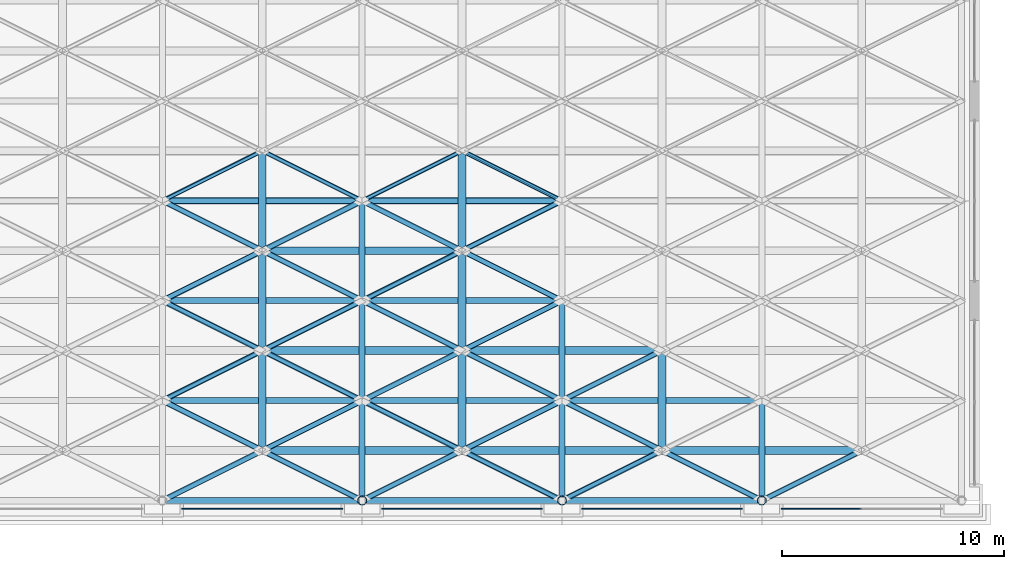
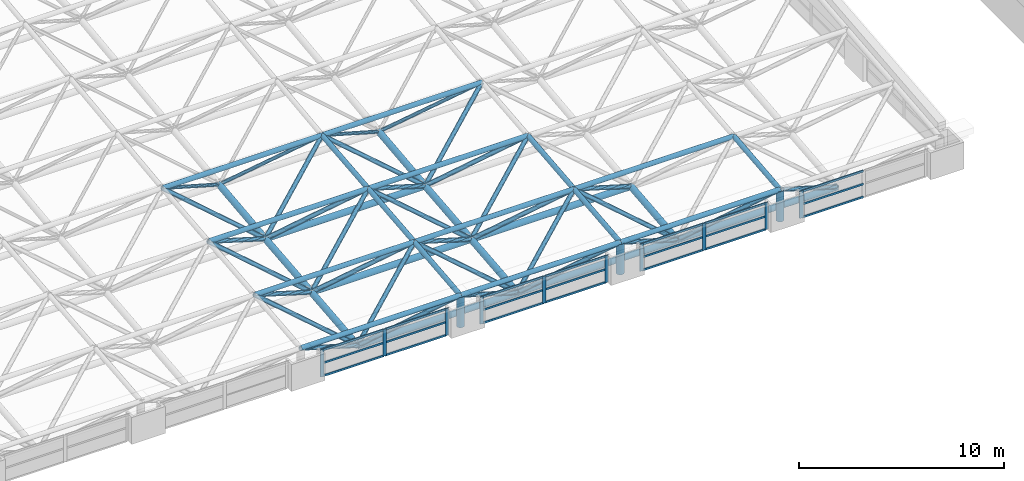
# One storey, part 12 of 53: 96 members, 4 elements without a shape of their own.
"""IFC4 building model written with IfcOpenShell, lengths in metres."""

from ifc_helpers import new_model, si_unit, direction, frame, origin, origin_2d, place, context, subcontext, project, spatial, rectangle, hollow_circle, extrude, material, material_profile, profile_set, type_object, element, aggregate, save


model = new_model("IFC4")

# Units and contexts
model_context = context("Model", 3, precision=1e-05, world=origin(), true_north=direction((0.0, 1.0)))
body_context = subcontext(model_context, "Body", "Model", "MODEL_VIEW")
ifc_project = project(units=[si_unit("LENGTHUNIT", "METRE"), si_unit("AREAUNIT", "SQUARE_METRE"), si_unit("VOLUMEUNIT", "CUBIC_METRE"), si_unit("PLANEANGLEUNIT", "RADIAN"), si_unit("MASSUNIT", "GRAM", prefix="KILO")], contexts=[model_context])

# Site, building, storey
site_placement = place(None, origin())
site = spatial("IfcSite", under=ifc_project, at=site_placement, CompositionType="ELEMENT")
building_placement = place(site_placement, origin())
building = spatial("IfcBuilding", under=site, at=building_placement, Name="Aravalli Gate Trade Fair Centre", CompositionType="ELEMENT")
storey_placement = place(building_placement, frame((0.0, 0.0, 25.199951171875)))
storey = spatial("IfcBuildingStorey", under=building, at=storey_placement, Name="ROOF LEVEL 2", CompositionType="ELEMENT", Elevation=25.199951171875)

# Members
ifc_material_1 = material(Name="Steel E350", Category="steel")
ifc_material_profile_1 = material_profile(ifc_material_1, hollow_circle(Radius=0.096923828125, WallThickness=0.00634765625, at=origin_2d()), Name="CHS 193.7x6.3")
ifc_profile_set_1 = profile_set([ifc_material_profile_1], Name="Steel E350")
member_type_1 = type_object("IfcMemberType", Name="CHS 193.7x6.3", PredefinedType="BRACE", material=ifc_profile_set_1)
for number, where, z_axis, x_axis, name in (
    (1, (69.0, 59.5, 3.150146484375), (0.786469857322, 0.393234928661, -0.476268258867), (-0.4472135955, 0.894427191, 0.0), "Space frame web diagonal D2A"),
    (2, (78.0, 59.5, 3.150146484375), (0.786469857322, 0.393234928661, -0.476268258867), (-0.4472135955, 0.894427191, 0.0), "Space frame web diagonal D2A"),
    (3, (78.0, 59.5, 3.150146484375), (-0.786469857322, 0.393234928661, -0.476268258867), (-0.4472135955, -0.894427191, 0.0), "Space frame web diagonal D2B"),
    (4, (87.0, 59.5, 3.150146484375), (-0.786469857322, 0.393234928661, -0.476268258867), (-0.4472135955, -0.894427191, 0.0), "Space frame web diagonal D2B"),
):
    element("IfcMember", number, at=place(storey_placement, frame(where, z_axis=z_axis, x_axis=x_axis)), inside=storey, type_object=member_type_1, Name=name, PredefinedType="BRACE", context=body_context, shape_type="SweptSolid", body=[
        extrude(hollow_circle(Radius=0.096923828125, WallThickness=0.00634765625, at=origin_2d()), origin(), (0.0, 0.0, 1.0), 5.7216796875),
    ])
ifc_material_profile_2 = material_profile(ifc_material_1, hollow_circle(Radius=0.122314453125, WallThickness=0.008056640625, at=origin_2d()), Name="CHS 244.5x8")
ifc_profile_set_2 = profile_set([ifc_material_profile_2], Name="Steel E350")
member_type_2 = type_object("IfcMemberType", Name="CHS 244.5x8", PredefinedType="BRACE", material=ifc_profile_set_2)
for number, where, z_axis, x_axis, name in (
    (5, (69.0, 46.0, 1.800048828125), (0.783200147531, 0.391600073766, -0.48295642778), (-0.4472135955, 0.894427191, 0.0), "Space frame web diagonal D1A"),
    (6, (78.0, 46.0, 1.800048828125), (0.783200147531, 0.391600073766, -0.48295642778), (-0.4472135955, 0.894427191, 0.0), "Space frame web diagonal D1A"),
    (7, (87.0, 46.0, 1.800048828125), (0.783200147531, 0.391600073766, -0.48295642778), (-0.4472135955, 0.894427191, 0.0), "Space frame web diagonal D1A"),
    (8, (96.0, 46.0, 1.800048828125), (0.783200147531, 0.391600073766, -0.48295642778), (-0.4472135955, 0.894427191, 0.0), "Space frame web diagonal D1A"),
    (9, (69.0, 50.5, 2.25), (0.783200147531, 0.391600073766, -0.48295642778), (-0.4472135955, 0.894427191, 0.0), "Space frame web diagonal D1A"),
    (10, (78.0, 50.5, 2.25), (0.783200147531, 0.391600073766, -0.48295642778), (-0.4472135955, 0.894427191, 0.0), "Space frame web diagonal D1A"),
    (11, (87.0, 50.5, 2.25), (0.783200147531, 0.391600073766, -0.48295642778), (-0.4472135955, 0.894427191, 0.0), "Space frame web diagonal D1A"),
    (12, (69.0, 55.0, 2.699951171875), (0.783200147531, 0.391600073766, -0.48295642778), (-0.4472135955, 0.894427191, 0.0), "Space frame web diagonal D1A"),
    (13, (78.0, 55.0, 2.699951171875), (0.783200147531, 0.391600073766, -0.48295642778), (-0.4472135955, 0.894427191, 0.0), "Space frame web diagonal D1A"),
    (14, (78.0, 46.0, 1.800048828125), (-0.783200147531, 0.391600073766, -0.48295642778), (-0.4472135955, -0.894427191, 0.0), "Space frame web diagonal D1B"),
    (15, (87.0, 46.0, 1.800048828125), (-0.783200147531, 0.391600073766, -0.48295642778), (-0.4472135955, -0.894427191, 0.0), "Space frame web diagonal D1B"),
    (16, (96.0, 46.0, 1.800048828125), (-0.783200147531, 0.391600073766, -0.48295642778), (-0.4472135955, -0.894427191, 0.0), "Space frame web diagonal D1B"),
    (17, (78.0, 50.5, 2.25), (-0.783200147531, 0.391600073766, -0.48295642778), (-0.4472135955, -0.894427191, 0.0), "Space frame web diagonal D1B"),
    (18, (87.0, 50.5, 2.25), (-0.783200147531, 0.391600073766, -0.48295642778), (-0.4472135955, -0.894427191, 0.0), "Space frame web diagonal D1B"),
    (19, (78.0, 55.0, 2.699951171875), (-0.783200147531, 0.391600073766, -0.48295642778), (-0.4472135955, -0.894427191, 0.0), "Space frame web diagonal D1B"),
    (20, (87.0, 55.0, 2.699951171875), (-0.783200147531, 0.391600073766, -0.48295642778), (-0.4472135955, -0.894427191, 0.0), "Space frame web diagonal D1B"),
):
    element("IfcMember", number, at=place(storey_placement, frame(where, z_axis=z_axis, x_axis=x_axis)), inside=storey, type_object=member_type_2, Name=name, PredefinedType="BRACE", context=body_context, shape_type="SweptSolid", body=[
        extrude(hollow_circle(Radius=0.122314453125, WallThickness=0.008056640625, at=origin_2d()), origin(), (0.0, 0.0, 1.0), 5.74560546875),
    ])
for number, where, z_axis, x_axis, name in (
    (21, (69.0, 50.5, 2.25), (0.753016221047, -0.376508110523, -0.539637112837), (0.4472135955, 0.894427191, 0.0), "Space frame web diagonal D1C"),
    (22, (78.0, 50.5, 2.25), (0.753016221047, -0.376508110523, -0.539637112837), (0.4472135955, 0.894427191, 0.0), "Space frame web diagonal D1C"),
    (23, (87.0, 50.5, 2.25), (0.753016221047, -0.376508110523, -0.539637112837), (0.4472135955, 0.894427191, 0.0), "Space frame web diagonal D1C"),
    (24, (69.0, 55.0, 2.699951171875), (0.753016221047, -0.376508110523, -0.539637112837), (0.4472135955, 0.894427191, 0.0), "Space frame web diagonal D1C"),
    (25, (78.0, 55.0, 2.699951171875), (0.753016221047, -0.376508110523, -0.539637112837), (0.4472135955, 0.894427191, 0.0), "Space frame web diagonal D1C"),
    (26, (69.0, 59.5, 3.150146484375), (0.752999619823, -0.376499809912, -0.539666068678), (0.4472135955, 0.894427191, 0.0), "Space frame web diagonal D1C"),
    (27, (78.0, 59.5, 3.150146484375), (0.752999619823, -0.376499809912, -0.539666068678), (0.4472135955, 0.894427191, 0.0), "Space frame web diagonal D1C"),
    (28, (78.0, 50.5, 2.25), (-0.753016221047, -0.376508110523, -0.539637112837), (0.4472135955, -0.894427191, 0.0), "Space frame web diagonal D1D"),
    (29, (87.0, 50.5, 2.25), (-0.753016221047, -0.376508110523, -0.539637112837), (0.4472135955, -0.894427191, 0.0), "Space frame web diagonal D1D"),
    (30, (78.0, 55.0, 2.699951171875), (-0.753016221047, -0.376508110523, -0.539637112837), (0.4472135955, -0.894427191, 0.0), "Space frame web diagonal D1D"),
    (31, (87.0, 55.0, 2.699951171875), (-0.753016221047, -0.376508110523, -0.539637112837), (0.4472135955, -0.894427191, 0.0), "Space frame web diagonal D1D"),
    (32, (78.0, 59.5, 3.150146484375), (-0.752999619823, -0.376499809912, -0.539666068678), (0.4472135955, -0.894427191, 0.0), "Space frame web diagonal D1D"),
    (33, (87.0, 59.5, 3.150146484375), (-0.752999619823, -0.376499809912, -0.539666068678), (0.4472135955, -0.894427191, 0.0), "Space frame web diagonal D1D"),
):
    element("IfcMember", number, at=place(storey_placement, frame(where, z_axis=z_axis, x_axis=x_axis)), inside=storey, type_object=member_type_2, Name=name, PredefinedType="BRACE", context=body_context, shape_type="SweptSolid", body=[
        extrude(hollow_circle(Radius=0.122314453125, WallThickness=0.008056640625, at=origin_2d()), origin(), (0.0, 0.0, 1.0), 5.97607421875),
    ])
ifc_material_profile_3 = material_profile(ifc_material_1, hollow_circle(Radius=0.136474609375, WallThickness=0.010009765625, at=origin_2d()), Name="CHS 273.1x10")
ifc_profile_set_3 = profile_set([ifc_material_profile_3], Name="Steel E350")
member_type_3 = type_object("IfcMemberType", Name="CHS 273.1x10", PredefinedType="CHORD", material=ifc_profile_set_3)
for number, where, z_axis, x_axis, name in (
    (34, (69.0, 50.5, 2.25), (1.0, 0.0, 0.0), (0.0, 1.0, 0.0), "Space frame top chord along the lines T1"),
    (35, (78.0, 50.5, 2.25), (1.0, 0.0, 0.0), (0.0, 1.0, 0.0), "Space frame top chord along the lines T1"),
    (36, (87.0, 50.5, 2.25), (1.0, 0.0, 0.0), (0.0, 1.0, 0.0), "Space frame top chord along the lines T1"),
    (37, (69.0, 55.0, 2.699951171875), (1.0, 0.0, 0.0), (0.0, 1.0, 0.0), "Space frame top chord along the lines T1"),
    (38, (78.0, 55.0, 2.699951171875), (1.0, 0.0, 0.0), (0.0, 1.0, 0.0), "Space frame top chord along the lines T1"),
    (39, (69.0, 59.5, 3.150146484375), (1.0, 0.0, 0.0), (0.0, 1.0, 0.0), "Space frame top chord along the lines T2"),
    (40, (78.0, 59.5, 3.150146484375), (1.0, 0.0, 0.0), (0.0, 1.0, 0.0), "Space frame top chord along the lines T2"),
):
    element("IfcMember", number, at=place(storey_placement, frame(where, z_axis=z_axis, x_axis=x_axis)), inside=storey, type_object=member_type_3, Name=name, PredefinedType="CHORD", context=body_context, shape_type="SweptSolid", body=[
        extrude(hollow_circle(Radius=0.136474609375, WallThickness=0.010009765625, at=origin_2d()), origin(), (0.0, 0.0, 1.0), 9.0),
    ])
for number, where, z_axis, x_axis, name in (
    (41, (78.0, 46.0, 1.800048828125), (0.0, 0.995038259148, 0.099493029059), (-1.0, 0.0, 0.0), "Space frame top chord across the vault Y1"),
    (42, (78.0, 50.5, 2.25), (0.0, 0.995038259148, 0.099493029059), (-1.0, 0.0, 0.0), "Space frame top chord across the vault Y1"),
    (43, (78.0, 55.0, 2.699951171875), (0.0, 0.995032913332, 0.099546478526), (-1.0, 0.0, 0.0), "Space frame top chord across the vault Y1"),
    (44, (87.0, 46.0, 1.800048828125), (0.0, 0.995038259148, 0.099493029059), (-1.0, 0.0, 0.0), "Space frame top chord across the vault Y1"),
    (45, (87.0, 50.5, 2.25), (0.0, 0.995038259148, 0.099493029059), (-1.0, 0.0, 0.0), "Space frame top chord across the vault Y1"),
    (46, (96.0, 46.0, 1.800048828125), (0.0, 0.995038259148, 0.099493029059), (-1.0, 0.0, 0.0), "Space frame top chord across the vault Y1"),
):
    element("IfcMember", number, at=place(storey_placement, frame(where, z_axis=z_axis, x_axis=x_axis)), inside=storey, type_object=member_type_3, Name=name, PredefinedType="CHORD", context=body_context, shape_type="SweptSolid", body=[
        extrude(hollow_circle(Radius=0.136474609375, WallThickness=0.010009765625, at=origin_2d()), origin(), (0.0, 0.0, 1.0), 4.5224609375),
    ])
ifc_material_profile_4 = material_profile(ifc_material_1, hollow_circle(Radius=0.136474609375, WallThickness=0.01611328125, at=origin_2d()), Name="CHS 273.1x16")
ifc_profile_set_4 = profile_set([ifc_material_profile_4], Name="Steel E350")
member_type_4 = type_object("IfcMemberType", Name="CHS 273.1x16", PredefinedType="CHORD", material=ifc_profile_set_4)
for number, where, z_axis, x_axis, name in (
    (47, (69.0, 46.0, 1.800048828125), (1.0, 0.0, 0.0), (0.0, 1.0, 0.0), "Space frame top chord along the lines TE"),
    (48, (78.0, 46.0, 1.800048828125), (1.0, 0.0, 0.0), (0.0, 1.0, 0.0), "Space frame top chord along the lines TE"),
    (49, (87.0, 46.0, 1.800048828125), (1.0, 0.0, 0.0), (0.0, 1.0, 0.0), "Space frame top chord along the lines TE"),
):
    element("IfcMember", number, at=place(storey_placement, frame(where, z_axis=z_axis, x_axis=x_axis)), inside=storey, type_object=member_type_4, Name=name, PredefinedType="CHORD", context=body_context, shape_type="SweptSolid", body=[
        extrude(hollow_circle(Radius=0.136474609375, WallThickness=0.01611328125, at=origin_2d()), origin(), (0.0, 0.0, 1.0), 9.0),
    ])
ifc_material_profile_5 = material_profile(ifc_material_1, hollow_circle(Radius=0.177734375, WallThickness=0.010009765625, at=origin_2d()), Name="CHS 355.6x10")
ifc_profile_set_5 = profile_set([ifc_material_profile_5], Name="Steel E350")
member_type_5 = type_object("IfcMemberType", Name="CHS 355.6x10", PredefinedType="CHORD", material=ifc_profile_set_5)
for number, where, z_axis, x_axis, name in (
    (50, (73.5, 52.75, -0.52490234375), (1.0, 0.0, 0.0), (0.0, 1.0, 0.0), "Space frame bottom chord along the lines B1"),
    (51, (82.5, 52.75, -0.52490234375), (1.0, 0.0, 0.0), (0.0, 1.0, 0.0), "Space frame bottom chord along the lines B1"),
    (52, (73.5, 57.25, -0.074951171875), (1.0, 0.0, 0.0), (0.0, 1.0, 0.0), "Space frame bottom chord along the lines B1"),
):
    element("IfcMember", number, at=place(storey_placement, frame(where, z_axis=z_axis, x_axis=x_axis)), inside=storey, type_object=member_type_5, Name=name, PredefinedType="CHORD", context=body_context, shape_type="SweptSolid", body=[
        extrude(hollow_circle(Radius=0.177734375, WallThickness=0.010009765625, at=origin_2d()), origin(), (0.0, 0.0, 1.0), 9.0),
    ])
for number, where, z_axis, x_axis, name in (
    (53, (73.5, 48.25, -0.974853515625), (0.0, 0.995038259148, 0.099493029059), (-1.0, 0.0, 0.0), "Space frame bottom chord across the vault C1"),
    (54, (73.5, 52.75, -0.52490234375), (0.0, 0.995038259148, 0.099493029059), (-1.0, 0.0, 0.0), "Space frame bottom chord across the vault C1"),
    (55, (82.5, 48.25, -0.974853515625), (0.0, 0.995038259148, 0.099493029059), (-1.0, 0.0, 0.0), "Space frame bottom chord across the vault C1"),
    (56, (82.5, 52.75, -0.52490234375), (0.0, 0.995038259148, 0.099493029059), (-1.0, 0.0, 0.0), "Space frame bottom chord across the vault C1"),
    (57, (91.5, 48.25, -0.974853515625), (0.0, 0.995038259148, 0.099493029059), (-1.0, 0.0, 0.0), "Space frame bottom chord across the vault C1"),
):
    element("IfcMember", number, at=place(storey_placement, frame(where, z_axis=z_axis, x_axis=x_axis)), inside=storey, type_object=member_type_5, Name=name, PredefinedType="CHORD", context=body_context, shape_type="SweptSolid", body=[
        extrude(hollow_circle(Radius=0.177734375, WallThickness=0.010009765625, at=origin_2d()), origin(), (0.0, 0.0, 1.0), 4.5224609375),
    ])
for number, where, z_axis, x_axis, name in (
    (58, (73.5, 57.25, -0.074951171875), (0.0, 0.993883734674, 0.110431526075), (-1.0, 0.0, 0.0), "Space frame bottom chord across the vault C2"),
    (59, (82.5, 57.25, -0.074951171875), (0.0, 0.993883734674, 0.110431526075), (-1.0, 0.0, 0.0), "Space frame bottom chord across the vault C2"),
):
    element("IfcMember", number, at=place(storey_placement, frame(where, z_axis=z_axis, x_axis=x_axis)), inside=storey, type_object=member_type_5, Name=name, PredefinedType="CHORD", context=body_context, shape_type="SweptSolid", body=[
        extrude(hollow_circle(Radius=0.177734375, WallThickness=0.010009765625, at=origin_2d()), origin(), (0.0, 0.0, 1.0), 4.527587890625),
    ])
ifc_material_profile_6 = material_profile(ifc_material_1, hollow_circle(Radius=0.177734375, WallThickness=0.01611328125, at=origin_2d()), Name="CHS 355.6x16")
ifc_profile_set_6 = profile_set([ifc_material_profile_6], Name="Steel E350")
member_type_6 = type_object("IfcMemberType", Name="CHS 355.6x16", PredefinedType="CHORD", material=ifc_profile_set_6)
for number, where, z_axis, x_axis, name in (
    (60, (73.5, 48.25, -0.974853515625), (1.0, 0.0, 0.0), (0.0, 1.0, 0.0), "Space frame bottom chord along the lines BE"),
    (61, (82.5, 48.25, -0.974853515625), (1.0, 0.0, 0.0), (0.0, 1.0, 0.0), "Space frame bottom chord along the lines BE"),
    (62, (91.5, 48.25, -0.974853515625), (1.0, 0.0, 0.0), (0.0, 1.0, 0.0), "Space frame bottom chord along the lines BE"),
):
    element("IfcMember", number, at=place(storey_placement, frame(where, z_axis=z_axis, x_axis=x_axis)), inside=storey, type_object=member_type_6, Name=name, PredefinedType="CHORD", context=body_context, shape_type="SweptSolid", body=[
        extrude(hollow_circle(Radius=0.177734375, WallThickness=0.01611328125, at=origin_2d()), origin(), (0.0, 0.0, 1.0), 9.0),
    ])
ifc_material_profile_7 = material_profile(ifc_material_1, hollow_circle(Radius=0.203125, WallThickness=0.01611328125, at=origin_2d()), Name="CHS 406.4x16")
ifc_profile_set_7 = profile_set([ifc_material_profile_7], Name="Steel E350")
member_type_7 = type_object("IfcMemberType", Name="CHS 406.4x16", PredefinedType="POST", material=ifc_profile_set_7)
for number, where, z_axis, x_axis, name in (
    (63, (78.0, 46.0, 0.0), (0.0, 0.0, 1.0), (1.0, 0.0, 0.0), "Space frame bearing post P1"),
    (64, (87.0, 46.0, 0.0), (0.0, 0.0, 1.0), (1.0, 0.0, 0.0), "Space frame bearing post P1"),
    (65, (96.0, 46.0, 0.0), (0.0, 0.0, 1.0), (1.0, 0.0, 0.0), "Space frame bearing post P1"),
):
    element("IfcMember", number, at=place(storey_placement, frame(where, z_axis=z_axis, x_axis=x_axis)), inside=storey, type_object=member_type_7, Name=name, PredefinedType="POST", context=body_context, shape_type="SweptSolid", body=[
        extrude(hollow_circle(Radius=0.203125, WallThickness=0.01611328125, at=origin_2d()), origin(), (0.0, 0.0, 1.0), 1.800048828125),
    ])

# Curtain wall, members
ifc_material_2 = material(Name="Aluminium, glass and louvre", Category="aluminium")
curtain_wall_type = type_object("IfcCurtainWallType", Name="Hall crown curtain wall 3000 module", PredefinedType="NOTDEFINED", material=ifc_material_2)
curtain_wall_1_placement = place(storey_placement, origin())
curtain_wall_1 = element("IfcCurtainWall", 66, at=curtain_wall_1_placement, inside=storey, type_object=curtain_wall_type, Name="Hall south crown curtain wall bay 8 ROOF LEVEL 2", PredefinedType="NOTDEFINED")
ifc_material_3 = material(Name="Aluminium", Category="aluminium")
ifc_material_profile_8 = material_profile(ifc_material_3, rectangle(XDim=0.06005859375, YDim=0.199951171875, at=origin_2d()), Name="Hall curtain wall mullion 60 x 200")
ifc_profile_set_8 = profile_set([ifc_material_profile_8], Name="Aluminium")
member_type_8 = type_object("IfcMemberType", Name="Hall curtain wall mullion 60 x 200", PredefinedType="MULLION", material=ifc_profile_set_8)
member_1_placement = place(storey_placement, frame((69.97998046875, 45.625, 0.0), z_axis=(0.0, 0.0, 1.0), x_axis=(0.0, 1.0, 0.0)))
member_1 = element("IfcMember", 67, at=member_1_placement, type_object=member_type_8, Name="HCW1 mullion 1", PredefinedType="MULLION", context=body_context, shape_type="SweptSolid", body=[
    extrude(rectangle(XDim=0.06005859375, YDim=0.199951171875, at=origin_2d()), origin(), (0.0, 0.0, 1.0), 1.60009765625),
])
member_2_placement = place(storey_placement, frame((73.5, 45.625, 0.0), z_axis=(0.0, 0.0, 1.0), x_axis=(0.0, 1.0, 0.0)))
member_2 = element("IfcMember", 68, at=member_2_placement, type_object=member_type_8, Name="HCW1 mullion 2", PredefinedType="MULLION", context=body_context, shape_type="SweptSolid", body=[
    extrude(rectangle(XDim=0.06005859375, YDim=0.199951171875, at=origin_2d()), origin(), (0.0, 0.0, 1.0), 1.60009765625),
])
member_3_placement = place(storey_placement, frame((77.02001953125, 45.625, 0.0), z_axis=(0.0, 0.0, 1.0), x_axis=(0.0, 1.0, 0.0)))
member_3 = element("IfcMember", 69, at=member_3_placement, type_object=member_type_8, Name="HCW1 mullion 3", PredefinedType="MULLION", context=body_context, shape_type="SweptSolid", body=[
    extrude(rectangle(XDim=0.06005859375, YDim=0.199951171875, at=origin_2d()), origin(), (0.0, 0.0, 1.0), 1.60009765625),
])

curtain_wall_2_placement = place(storey_placement, origin())
curtain_wall_2 = element("IfcCurtainWall", 70, at=curtain_wall_2_placement, inside=storey, type_object=curtain_wall_type, Name="Hall south crown curtain wall bay 9 ROOF LEVEL 2", PredefinedType="NOTDEFINED")
member_4_placement = place(storey_placement, frame((78.97998046875, 45.625, 0.0), z_axis=(0.0, 0.0, 1.0), x_axis=(0.0, 1.0, 0.0)))
member_4 = element("IfcMember", 71, at=member_4_placement, type_object=member_type_8, Name="HCW1 mullion 1", PredefinedType="MULLION", context=body_context, shape_type="SweptSolid", body=[
    extrude(rectangle(XDim=0.06005859375, YDim=0.199951171875, at=origin_2d()), origin(), (0.0, 0.0, 1.0), 1.60009765625),
])
member_5_placement = place(storey_placement, frame((82.5, 45.625, 0.0), z_axis=(0.0, 0.0, 1.0), x_axis=(0.0, 1.0, 0.0)))
member_5 = element("IfcMember", 72, at=member_5_placement, type_object=member_type_8, Name="HCW1 mullion 2", PredefinedType="MULLION", context=body_context, shape_type="SweptSolid", body=[
    extrude(rectangle(XDim=0.06005859375, YDim=0.199951171875, at=origin_2d()), origin(), (0.0, 0.0, 1.0), 1.60009765625),
])
member_6_placement = place(storey_placement, frame((86.02001953125, 45.625, 0.0), z_axis=(0.0, 0.0, 1.0), x_axis=(0.0, 1.0, 0.0)))
member_6 = element("IfcMember", 73, at=member_6_placement, type_object=member_type_8, Name="HCW1 mullion 3", PredefinedType="MULLION", context=body_context, shape_type="SweptSolid", body=[
    extrude(rectangle(XDim=0.06005859375, YDim=0.199951171875, at=origin_2d()), origin(), (0.0, 0.0, 1.0), 1.60009765625),
])

curtain_wall_3_placement = place(storey_placement, origin())
curtain_wall_3 = element("IfcCurtainWall", 74, at=curtain_wall_3_placement, inside=storey, type_object=curtain_wall_type, Name="Hall south crown curtain wall bay 10 ROOF LEVEL 2", PredefinedType="NOTDEFINED")
member_7_placement = place(storey_placement, frame((87.97998046875, 45.625, 0.0), z_axis=(0.0, 0.0, 1.0), x_axis=(0.0, 1.0, 0.0)))
member_7 = element("IfcMember", 75, at=member_7_placement, type_object=member_type_8, Name="HCW1 mullion 1", PredefinedType="MULLION", context=body_context, shape_type="SweptSolid", body=[
    extrude(rectangle(XDim=0.06005859375, YDim=0.199951171875, at=origin_2d()), origin(), (0.0, 0.0, 1.0), 1.60009765625),
])
member_8_placement = place(storey_placement, frame((91.5, 45.625, 0.0), z_axis=(0.0, 0.0, 1.0), x_axis=(0.0, 1.0, 0.0)))
member_8 = element("IfcMember", 76, at=member_8_placement, type_object=member_type_8, Name="HCW1 mullion 2", PredefinedType="MULLION", context=body_context, shape_type="SweptSolid", body=[
    extrude(rectangle(XDim=0.06005859375, YDim=0.199951171875, at=origin_2d()), origin(), (0.0, 0.0, 1.0), 1.60009765625),
])
member_9_placement = place(storey_placement, frame((95.02001953125, 45.625, 0.0), z_axis=(0.0, 0.0, 1.0), x_axis=(0.0, 1.0, 0.0)))
member_9 = element("IfcMember", 77, at=member_9_placement, type_object=member_type_8, Name="HCW1 mullion 3", PredefinedType="MULLION", context=body_context, shape_type="SweptSolid", body=[
    extrude(rectangle(XDim=0.06005859375, YDim=0.199951171875, at=origin_2d()), origin(), (0.0, 0.0, 1.0), 1.60009765625),
])

# Curtain wall, member
curtain_wall_4_placement = place(storey_placement, origin())
curtain_wall_4 = element("IfcCurtainWall", 78, at=curtain_wall_4_placement, inside=storey, type_object=curtain_wall_type, Name="Hall south crown curtain wall bay 11 ROOF LEVEL 2", PredefinedType="NOTDEFINED")
member_10_placement = place(storey_placement, frame((96.97998046875, 45.625, 0.0), z_axis=(0.0, 0.0, 1.0), x_axis=(0.0, 1.0, 0.0)))
member_10 = element("IfcMember", 79, at=member_10_placement, type_object=member_type_8, Name="HCW1 mullion 1", PredefinedType="MULLION", context=body_context, shape_type="SweptSolid", body=[
    extrude(rectangle(XDim=0.06005859375, YDim=0.199951171875, at=origin_2d()), origin(), (0.0, 0.0, 1.0), 1.60009765625),
])

# Member
ifc_material_profile_9 = material_profile(ifc_material_3, rectangle(XDim=0.06005859375, YDim=0.1201171875, at=origin_2d()), Name="Hall curtain wall transom 60 x 120")
ifc_profile_set_9 = profile_set([ifc_material_profile_9], Name="Aluminium")
member_type_9 = type_object("IfcMemberType", Name="Hall curtain wall transom 60 x 120", PredefinedType="USERDEFINED", material=ifc_profile_set_9)
member_11_placement = place(storey_placement, frame((70.010009765625, 45.625, 0.030029296875), z_axis=(1.0, 0.0, 0.0), x_axis=(0.0, 1.0, 0.0)))
member_11 = element("IfcMember", 80, at=member_11_placement, type_object=member_type_9, Name="HCW1 transom 1.1", ObjectType="TRANSOM", PredefinedType="USERDEFINED", context=body_context, shape_type="SweptSolid", body=[
    extrude(rectangle(XDim=0.06005859375, YDim=0.1201171875, at=origin_2d()), origin(), (0.0, 0.0, 1.0), 3.4599609375),
])

member_12_placement = place(storey_placement, frame((70.010009765625, 45.625, 0.800048828125), z_axis=(1.0, 0.0, 0.0), x_axis=(0.0, 1.0, 0.0)))
member_12 = element("IfcMember", 81, at=member_12_placement, type_object=member_type_9, Name="HCW1 transom 1.2", ObjectType="TRANSOM", PredefinedType="USERDEFINED", context=body_context, shape_type="SweptSolid", body=[
    extrude(rectangle(XDim=0.06005859375, YDim=0.1201171875, at=origin_2d()), origin(), (0.0, 0.0, 1.0), 3.4599609375),
])

member_13_placement = place(storey_placement, frame((70.010009765625, 45.625, 1.570068359375), z_axis=(1.0, 0.0, 0.0), x_axis=(0.0, 1.0, 0.0)))
member_13 = element("IfcMember", 82, at=member_13_placement, type_object=member_type_9, Name="HCW1 transom 1.3", ObjectType="TRANSOM", PredefinedType="USERDEFINED", context=body_context, shape_type="SweptSolid", body=[
    extrude(rectangle(XDim=0.06005859375, YDim=0.1201171875, at=origin_2d()), origin(), (0.0, 0.0, 1.0), 3.4599609375),
])

member_14_placement = place(storey_placement, frame((73.530029296875, 45.625, 0.030029296875), z_axis=(1.0, 0.0, 0.0), x_axis=(0.0, 1.0, 0.0)))
member_14 = element("IfcMember", 83, at=member_14_placement, type_object=member_type_9, Name="HCW1 transom 2.1", ObjectType="TRANSOM", PredefinedType="USERDEFINED", context=body_context, shape_type="SweptSolid", body=[
    extrude(rectangle(XDim=0.06005859375, YDim=0.1201171875, at=origin_2d()), origin(), (0.0, 0.0, 1.0), 3.4599609375),
])

member_15_placement = place(storey_placement, frame((73.530029296875, 45.625, 0.800048828125), z_axis=(1.0, 0.0, 0.0), x_axis=(0.0, 1.0, 0.0)))
member_15 = element("IfcMember", 84, at=member_15_placement, type_object=member_type_9, Name="HCW1 transom 2.2", ObjectType="TRANSOM", PredefinedType="USERDEFINED", context=body_context, shape_type="SweptSolid", body=[
    extrude(rectangle(XDim=0.06005859375, YDim=0.1201171875, at=origin_2d()), origin(), (0.0, 0.0, 1.0), 3.4599609375),
])

member_16_placement = place(storey_placement, frame((73.530029296875, 45.625, 1.570068359375), z_axis=(1.0, 0.0, 0.0), x_axis=(0.0, 1.0, 0.0)))
member_16 = element("IfcMember", 85, at=member_16_placement, type_object=member_type_9, Name="HCW1 transom 2.3", ObjectType="TRANSOM", PredefinedType="USERDEFINED", context=body_context, shape_type="SweptSolid", body=[
    extrude(rectangle(XDim=0.06005859375, YDim=0.1201171875, at=origin_2d()), origin(), (0.0, 0.0, 1.0), 3.4599609375),
])

aggregate(curtain_wall_1, [member_1, member_2, member_3, member_11, member_12, member_13, member_14, member_15, member_16])

member_17_placement = place(storey_placement, frame((79.010009765625, 45.625, 0.030029296875), z_axis=(1.0, 0.0, 0.0), x_axis=(0.0, 1.0, 0.0)))
member_17 = element("IfcMember", 86, at=member_17_placement, type_object=member_type_9, Name="HCW1 transom 1.1", ObjectType="TRANSOM", PredefinedType="USERDEFINED", context=body_context, shape_type="SweptSolid", body=[
    extrude(rectangle(XDim=0.06005859375, YDim=0.1201171875, at=origin_2d()), origin(), (0.0, 0.0, 1.0), 3.4599609375),
])

member_18_placement = place(storey_placement, frame((79.010009765625, 45.625, 0.800048828125), z_axis=(1.0, 0.0, 0.0), x_axis=(0.0, 1.0, 0.0)))
member_18 = element("IfcMember", 87, at=member_18_placement, type_object=member_type_9, Name="HCW1 transom 1.2", ObjectType="TRANSOM", PredefinedType="USERDEFINED", context=body_context, shape_type="SweptSolid", body=[
    extrude(rectangle(XDim=0.06005859375, YDim=0.1201171875, at=origin_2d()), origin(), (0.0, 0.0, 1.0), 3.4599609375),
])

member_19_placement = place(storey_placement, frame((79.010009765625, 45.625, 1.570068359375), z_axis=(1.0, 0.0, 0.0), x_axis=(0.0, 1.0, 0.0)))
member_19 = element("IfcMember", 88, at=member_19_placement, type_object=member_type_9, Name="HCW1 transom 1.3", ObjectType="TRANSOM", PredefinedType="USERDEFINED", context=body_context, shape_type="SweptSolid", body=[
    extrude(rectangle(XDim=0.06005859375, YDim=0.1201171875, at=origin_2d()), origin(), (0.0, 0.0, 1.0), 3.4599609375),
])

member_20_placement = place(storey_placement, frame((82.530029296875, 45.625, 0.030029296875), z_axis=(1.0, 0.0, 0.0), x_axis=(0.0, 1.0, 0.0)))
member_20 = element("IfcMember", 89, at=member_20_placement, type_object=member_type_9, Name="HCW1 transom 2.1", ObjectType="TRANSOM", PredefinedType="USERDEFINED", context=body_context, shape_type="SweptSolid", body=[
    extrude(rectangle(XDim=0.06005859375, YDim=0.1201171875, at=origin_2d()), origin(), (0.0, 0.0, 1.0), 3.4599609375),
])

member_21_placement = place(storey_placement, frame((82.530029296875, 45.625, 0.800048828125), z_axis=(1.0, 0.0, 0.0), x_axis=(0.0, 1.0, 0.0)))
member_21 = element("IfcMember", 90, at=member_21_placement, type_object=member_type_9, Name="HCW1 transom 2.2", ObjectType="TRANSOM", PredefinedType="USERDEFINED", context=body_context, shape_type="SweptSolid", body=[
    extrude(rectangle(XDim=0.06005859375, YDim=0.1201171875, at=origin_2d()), origin(), (0.0, 0.0, 1.0), 3.4599609375),
])

member_22_placement = place(storey_placement, frame((82.530029296875, 45.625, 1.570068359375), z_axis=(1.0, 0.0, 0.0), x_axis=(0.0, 1.0, 0.0)))
member_22 = element("IfcMember", 91, at=member_22_placement, type_object=member_type_9, Name="HCW1 transom 2.3", ObjectType="TRANSOM", PredefinedType="USERDEFINED", context=body_context, shape_type="SweptSolid", body=[
    extrude(rectangle(XDim=0.06005859375, YDim=0.1201171875, at=origin_2d()), origin(), (0.0, 0.0, 1.0), 3.4599609375),
])

aggregate(curtain_wall_2, [member_4, member_5, member_6, member_17, member_18, member_19, member_20, member_21, member_22])

member_23_placement = place(storey_placement, frame((88.010009765625, 45.625, 0.030029296875), z_axis=(1.0, 0.0, 0.0), x_axis=(0.0, 1.0, 0.0)))
member_23 = element("IfcMember", 92, at=member_23_placement, type_object=member_type_9, Name="HCW1 transom 1.1", ObjectType="TRANSOM", PredefinedType="USERDEFINED", context=body_context, shape_type="SweptSolid", body=[
    extrude(rectangle(XDim=0.06005859375, YDim=0.1201171875, at=origin_2d()), origin(), (0.0, 0.0, 1.0), 3.4599609375),
])

member_24_placement = place(storey_placement, frame((88.010009765625, 45.625, 0.800048828125), z_axis=(1.0, 0.0, 0.0), x_axis=(0.0, 1.0, 0.0)))
member_24 = element("IfcMember", 93, at=member_24_placement, type_object=member_type_9, Name="HCW1 transom 1.2", ObjectType="TRANSOM", PredefinedType="USERDEFINED", context=body_context, shape_type="SweptSolid", body=[
    extrude(rectangle(XDim=0.06005859375, YDim=0.1201171875, at=origin_2d()), origin(), (0.0, 0.0, 1.0), 3.4599609375),
])

member_25_placement = place(storey_placement, frame((88.010009765625, 45.625, 1.570068359375), z_axis=(1.0, 0.0, 0.0), x_axis=(0.0, 1.0, 0.0)))
member_25 = element("IfcMember", 94, at=member_25_placement, type_object=member_type_9, Name="HCW1 transom 1.3", ObjectType="TRANSOM", PredefinedType="USERDEFINED", context=body_context, shape_type="SweptSolid", body=[
    extrude(rectangle(XDim=0.06005859375, YDim=0.1201171875, at=origin_2d()), origin(), (0.0, 0.0, 1.0), 3.4599609375),
])

member_26_placement = place(storey_placement, frame((91.530029296875, 45.625, 0.030029296875), z_axis=(1.0, 0.0, 0.0), x_axis=(0.0, 1.0, 0.0)))
member_26 = element("IfcMember", 95, at=member_26_placement, type_object=member_type_9, Name="HCW1 transom 2.1", ObjectType="TRANSOM", PredefinedType="USERDEFINED", context=body_context, shape_type="SweptSolid", body=[
    extrude(rectangle(XDim=0.06005859375, YDim=0.1201171875, at=origin_2d()), origin(), (0.0, 0.0, 1.0), 3.4599609375),
])

member_27_placement = place(storey_placement, frame((91.530029296875, 45.625, 0.800048828125), z_axis=(1.0, 0.0, 0.0), x_axis=(0.0, 1.0, 0.0)))
member_27 = element("IfcMember", 96, at=member_27_placement, type_object=member_type_9, Name="HCW1 transom 2.2", ObjectType="TRANSOM", PredefinedType="USERDEFINED", context=body_context, shape_type="SweptSolid", body=[
    extrude(rectangle(XDim=0.06005859375, YDim=0.1201171875, at=origin_2d()), origin(), (0.0, 0.0, 1.0), 3.4599609375),
])

member_28_placement = place(storey_placement, frame((91.530029296875, 45.625, 1.570068359375), z_axis=(1.0, 0.0, 0.0), x_axis=(0.0, 1.0, 0.0)))
member_28 = element("IfcMember", 97, at=member_28_placement, type_object=member_type_9, Name="HCW1 transom 2.3", ObjectType="TRANSOM", PredefinedType="USERDEFINED", context=body_context, shape_type="SweptSolid", body=[
    extrude(rectangle(XDim=0.06005859375, YDim=0.1201171875, at=origin_2d()), origin(), (0.0, 0.0, 1.0), 3.4599609375),
])

aggregate(curtain_wall_3, [member_7, member_8, member_9, member_23, member_24, member_25, member_26, member_27, member_28])

member_29_placement = place(storey_placement, frame((97.010009765625, 45.625, 0.030029296875), z_axis=(1.0, 0.0, 0.0), x_axis=(0.0, 1.0, 0.0)))
member_29 = element("IfcMember", 98, at=member_29_placement, type_object=member_type_9, Name="HCW1 transom 1.1", ObjectType="TRANSOM", PredefinedType="USERDEFINED", context=body_context, shape_type="SweptSolid", body=[
    extrude(rectangle(XDim=0.06005859375, YDim=0.1201171875, at=origin_2d()), origin(), (0.0, 0.0, 1.0), 3.4599609375),
])

member_30_placement = place(storey_placement, frame((97.010009765625, 45.625, 0.800048828125), z_axis=(1.0, 0.0, 0.0), x_axis=(0.0, 1.0, 0.0)))
member_30 = element("IfcMember", 99, at=member_30_placement, type_object=member_type_9, Name="HCW1 transom 1.2", ObjectType="TRANSOM", PredefinedType="USERDEFINED", context=body_context, shape_type="SweptSolid", body=[
    extrude(rectangle(XDim=0.06005859375, YDim=0.1201171875, at=origin_2d()), origin(), (0.0, 0.0, 1.0), 3.4599609375),
])

member_31_placement = place(storey_placement, frame((97.010009765625, 45.625, 1.570068359375), z_axis=(1.0, 0.0, 0.0), x_axis=(0.0, 1.0, 0.0)))
member_31 = element("IfcMember", 100, at=member_31_placement, type_object=member_type_9, Name="HCW1 transom 1.3", ObjectType="TRANSOM", PredefinedType="USERDEFINED", context=body_context, shape_type="SweptSolid", body=[
    extrude(rectangle(XDim=0.06005859375, YDim=0.1201171875, at=origin_2d()), origin(), (0.0, 0.0, 1.0), 3.4599609375),
])

aggregate(curtain_wall_4, [member_10, member_29, member_30, member_31])

save(model, "model.ifc")
